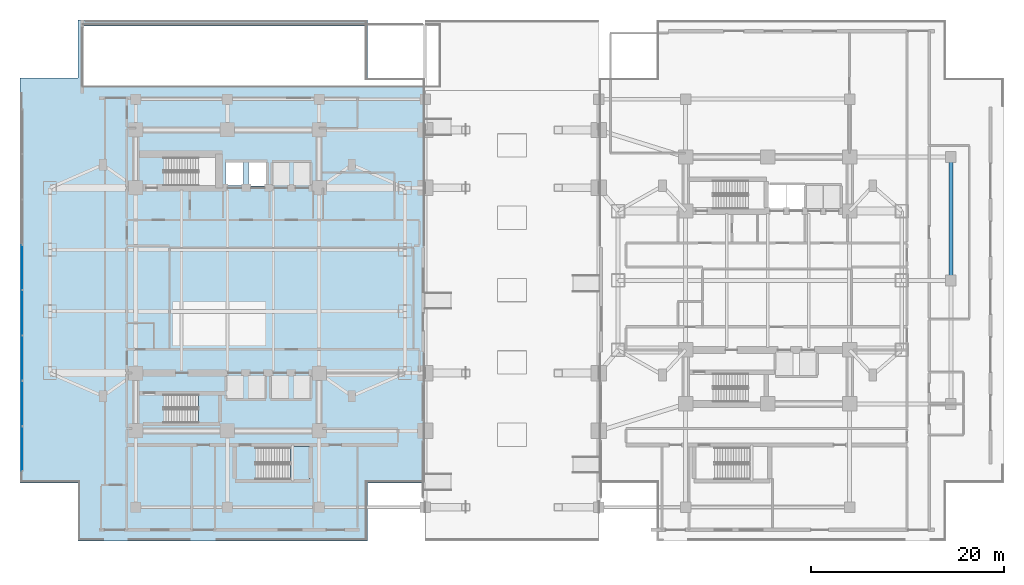
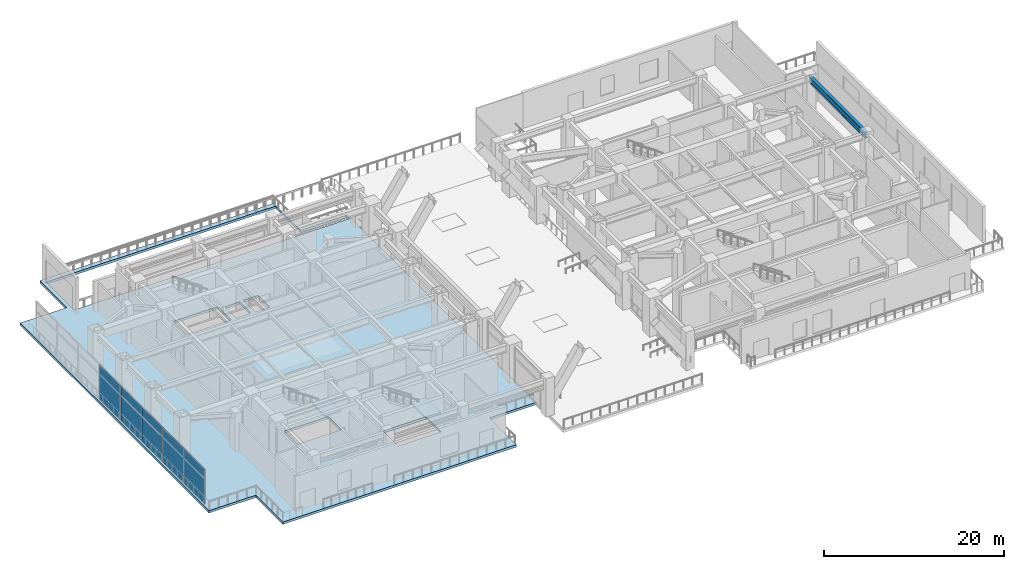
# One storey, part 7 of 27: 5 plates, 3 slabs, 1 beam, 3 elements without a shape of their own.
"""IFC4 building model written with IfcOpenShell, lengths in metres."""

from ifc_helpers import new_model, si_unit, direction, frame, origin, origin_2d, place, context, subcontext, project, spatial, polyline, rectangle, i_section, outline, extrude, material, layer, layer_set, material_profile, profile_set, type_object, element, aggregate, save


model = new_model("IFC4")

# Units and contexts
model_context = context("Model", 3, precision=1e-05, world=origin(), true_north=direction((0.0, 1.0)))
body_context = subcontext(model_context, "Body", "Model", "MODEL_VIEW")
ifc_project = project(units=[si_unit("LENGTHUNIT", "METRE"), si_unit("AREAUNIT", "SQUARE_METRE"), si_unit("VOLUMEUNIT", "CUBIC_METRE"), si_unit("PLANEANGLEUNIT", "RADIAN"), si_unit("MASSUNIT", "GRAM", prefix="KILO")], contexts=[model_context])

# Site, building, storey
site_placement = place(None, origin())
site = spatial("IfcSite", under=ifc_project, at=site_placement, CompositionType="ELEMENT")
building_placement = place(site_placement, origin())
building = spatial("IfcBuilding", under=site, at=building_placement, Name="Mirazonda Arch Towers", CompositionType="ELEMENT")
storey_placement = place(building_placement, origin())
storey = spatial("IfcBuildingStorey", under=building, at=storey_placement, Name="L00", CompositionType="ELEMENT", Elevation=0.0)

# Beam
ifc_material_1 = material(Name="Steel ASTM A992 Grade 50", Category="steel")
ifc_material_profile = material_profile(ifc_material_1, i_section(OverallWidth=0.39990234375, OverallDepth=0.85595703125, WebThickness=0.018310546875, FlangeThickness=0.029296875, at=origin_2d()), Name="W33X201")
ifc_profile_set = profile_set([ifc_material_profile], Name="Steel ASTM A992 Grade 50")
beam_type = type_object("IfcBeamType", Name="BM-EXT-W33X201", PredefinedType="USERDEFINED", material=ifc_profile_set)
beam_placement = place(storey_placement, frame((95.5, 28.0, 4.451904296875), z_axis=(0.0, 1.0, 0.0), x_axis=(-1.0, 0.0, 0.0)))
element("IfcBeam", 1, at=beam_placement, inside=storey, type_object=beam_type, Name="L00 Floor Beam BM-POD-L00-PE-2", ObjectType="GIRDER", PredefinedType="USERDEFINED", context=body_context, shape_type="SweptSolid", body=[
    extrude(i_section(OverallWidth=0.39990234375, OverallDepth=0.85595703125, WebThickness=0.018310546875, FlangeThickness=0.029296875, at=origin_2d()), origin(), (0.0, 0.0, 1.0), 12.800048828125),
])

# Curtain wall, plates
ifc_material_2 = material(Name="Anodised Aluminium and Low-E Glass", Category="aluminium")
curtain_wall_type = type_object("IfcCurtainWallType", Name="CW-POD-STORE", PredefinedType="NOTDEFINED", material=ifc_material_2)
curtain_wall_placement = place(storey_placement, origin())
curtain_wall = element("IfcCurtainWall", 2, at=curtain_wall_placement, inside=storey, type_object=curtain_wall_type, Name="L00 West Storefront CW-L00-WW1", PredefinedType="NOTDEFINED")
ifc_material_3 = material(Name="Insulated Low-E Solar Glass", Category="glass")
ifc_layer_1 = layer(ifc_material_3, 0.028076171875, Name="PAN-CW-POD-STORE")
ifc_layer_set_1 = layer_set([ifc_layer_1], Name="Insulated Low-E Solar Glass")
plate_type = type_object("IfcPlateType", Name="PAN-CW-POD-STORE", PredefinedType="CURTAIN_PANEL", material=ifc_layer_set_1)
plate_1_placement = place(storey_placement, frame((-0.780029296875, 10.570068359375, 0.080078125), z_axis=(0.0, 0.0, 1.0), x_axis=(0.0, 1.0, 0.0)))
plate_1 = element("IfcPlate", 3, at=plate_1_placement, type_object=plate_type, Name="CW-102 panel 1.1", PredefinedType="CURTAIN_PANEL", context=body_context, shape_type="SweptSolid", body=[
    extrude(rectangle(XDim=4.580078125, YDim=0.028076171875, at=origin_2d()), origin(), (0.0, 0.0, 1.0), 4.699951171875),
])
plate_2_placement = place(storey_placement, frame((-0.780029296875, 15.25, 0.080078125), z_axis=(0.0, 0.0, 1.0), x_axis=(0.0, 1.0, 0.0)))
plate_2 = element("IfcPlate", 4, at=plate_2_placement, type_object=plate_type, Name="CW-102 panel 2.1", PredefinedType="CURTAIN_PANEL", context=body_context, shape_type="SweptSolid", body=[
    extrude(rectangle(XDim=4.6201171875, YDim=0.028076171875, at=origin_2d()), origin(), (0.0, 0.0, 1.0), 4.699951171875),
])
plate_3_placement = place(storey_placement, frame((-0.780029296875, 19.949951171875, 0.080078125), z_axis=(0.0, 0.0, 1.0), x_axis=(0.0, 1.0, 0.0)))
plate_3 = element("IfcPlate", 5, at=plate_3_placement, type_object=plate_type, Name="CW-102 panel 3.1", PredefinedType="CURTAIN_PANEL", context=body_context, shape_type="SweptSolid", body=[
    extrude(rectangle(XDim=4.6201171875, YDim=0.028076171875, at=origin_2d()), origin(), (0.0, 0.0, 1.0), 4.699951171875),
])
plate_4_placement = place(storey_placement, frame((-0.780029296875, 24.64990234375, 0.080078125), z_axis=(0.0, 0.0, 1.0), x_axis=(0.0, 1.0, 0.0)))
plate_4 = element("IfcPlate", 6, at=plate_4_placement, type_object=plate_type, Name="CW-102 panel 4.1", PredefinedType="CURTAIN_PANEL", context=body_context, shape_type="SweptSolid", body=[
    extrude(rectangle(XDim=4.6201171875, YDim=0.028076171875, at=origin_2d()), origin(), (0.0, 0.0, 1.0), 4.699951171875),
])
plate_5_placement = place(storey_placement, frame((-0.780029296875, 29.35009765625, 0.080078125), z_axis=(0.0, 0.0, 1.0), x_axis=(0.0, 1.0, 0.0)))
plate_5 = element("IfcPlate", 7, at=plate_5_placement, type_object=plate_type, Name="CW-102 panel 5.1", PredefinedType="CURTAIN_PANEL", context=body_context, shape_type="SweptSolid", body=[
    extrude(rectangle(XDim=4.6201171875, YDim=0.028076171875, at=origin_2d()), origin(), (0.0, 0.0, 1.0), 4.699951171875),
])
aggregate(curtain_wall, [plate_1, plate_2, plate_3, plate_4, plate_5])

# Stair, slab
ifc_material_4 = material(Name="Concrete C40/50", Category="concrete")
stair_type_1 = type_object("IfcStairType", Name="STAIR-CORE-1400", PredefinedType="HALF_TURN_STAIR", material=ifc_material_4)
stair_1_placement = place(storey_placement, origin())
stair_1 = element("IfcStair", 8, at=stair_1_placement, inside=storey, type_object=stair_type_1, Name="L00 Protected Exit Stair ST-T1S", PredefinedType="HALF_TURN_STAIR")
ifc_layer_2 = layer(ifc_material_4, 0.18994140625, Name="SLAB-LANDING-190")
ifc_layer_set_2 = layer_set([ifc_layer_2], Name="Concrete C40/50")
slab_type_1 = type_object("IfcSlabType", Name="SLAB-LANDING-190", PredefinedType="LANDING", material=ifc_layer_set_2)
slab_1_placement = place(storey_placement, frame((0.0, 0.0, 2.39990234375)))
slab_1 = element("IfcSlab", 9, at=slab_1_placement, type_object=slab_type_1, Name="ST-T1S landing 1", PredefinedType="LANDING", context=body_context, shape_type="SweptSolid", body=[
    extrude(outline(polyline([(17.489990234375, 13.25), (19.60009765625, 13.25), (19.60009765625, 16.18994140625), (17.489990234375, 16.18994140625), (17.489990234375, 13.25)])), origin(), (0.0, 0.0, 1.0), 0.2001953125),
])
aggregate(stair_1, [slab_1])

stair_type_2 = type_object("IfcStairType", Name="STAIR-POD-1600", PredefinedType="HALF_TURN_STAIR", material=ifc_material_4)
stair_2_placement = place(storey_placement, origin())
stair_2 = element("IfcStair", 10, at=stair_2_placement, inside=storey, type_object=stair_type_2, Name="L00 Protected Exit Stair ST-POD1", PredefinedType="HALF_TURN_STAIR")
slab_2_placement = place(storey_placement, frame((0.0, 0.0, 2.39990234375)))
slab_2 = element("IfcSlab", 11, at=slab_2_placement, type_object=slab_type_1, Name="ST-POD1 landing 1", PredefinedType="LANDING", context=body_context, shape_type="SweptSolid", body=[
    extrude(outline(polyline([(27.0400390625, 7.35009765625), (29.0, 7.35009765625), (29.0, 10.800048828125), (27.0400390625, 10.800048828125), (27.0400390625, 7.35009765625)])), origin(), (0.0, 0.0, 1.0), 0.2001953125),
])
aggregate(stair_2, [slab_2])

# Slab
ifc_layer_3 = layer(ifc_material_4, 0.320068359375, Name="SLAB-POD-320")
ifc_layer_set_3 = layer_set([ifc_layer_3], Name="Concrete C40/50")
slab_type_2 = type_object("IfcSlabType", Name="SLAB-POD-320", PredefinedType="FLOOR", material=ifc_layer_set_3)
slab_3_placement = place(storey_placement, frame((0.0, 0.0, -0.320068359375)))
element("IfcSlab", 12, at=slab_3_placement, inside=storey, type_object=slab_type_2, Name="L00 West Podium Floor Slab", PredefinedType="FLOOR", context=body_context, shape_type="SweptSolid", body=[
    extrude(outline(polyline([(5.0, 1.0), (35.0, 1.0), (35.0, 7.0), (41.0, 7.0), (41.0, 49.0), (35.0, 49.0), (35.0, 55.0), (5.0, 55.0), (5.0, 49.0), (-1.0, 49.0), (-1.0, 7.0), (5.0, 7.0), (5.0, 1.0)]), holes=[polyline([(5.5, 54.39990234375), (34.93994140625, 54.39990234375), (34.93994140625, 48.93994140625), (40.800048828125, 48.93994140625), (40.800048828125, 48.199951171875), (5.5, 48.199951171875), (5.5, 54.39990234375)]), polyline([(29.0, 7.35009765625), (23.47509765625, 7.35009765625), (23.47509765625, 10.68994140625), (29.0, 10.68994140625), (29.0, 7.35009765625)]), polyline([(22.7099609375, 37.81005859375), (22.7099609375, 40.389892578125), (24.590087890625, 40.389892578125), (24.590087890625, 37.81005859375), (22.7099609375, 37.81005859375)]), polyline([(20.31005859375, 40.340087890625), (22.18994140625, 40.340087890625), (22.18994140625, 37.860107421875), (20.31005859375, 37.860107421875), (20.31005859375, 40.340087890625)]), polyline([(13.925048828125, 13.25), (13.925048828125, 16.18994140625), (19.60009765625, 16.18994140625), (19.60009765625, 13.25), (13.925048828125, 13.25)]), polyline([(13.925048828125, 37.820068359375), (13.925048828125, 40.760009765625), (19.60009765625, 40.760009765625), (19.60009765625, 37.820068359375), (13.925048828125, 37.820068359375)])]), origin(), (0.0, 0.0, 1.0), 0.320068359375),
])

save(model, "model.ifc")
